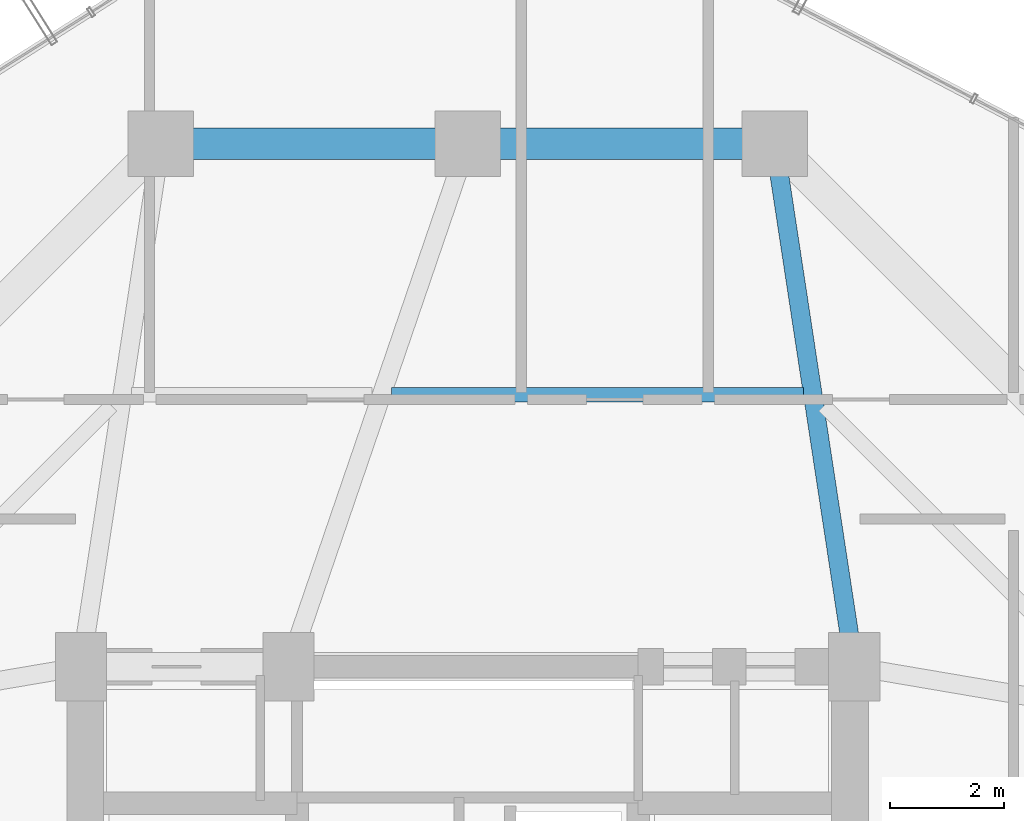
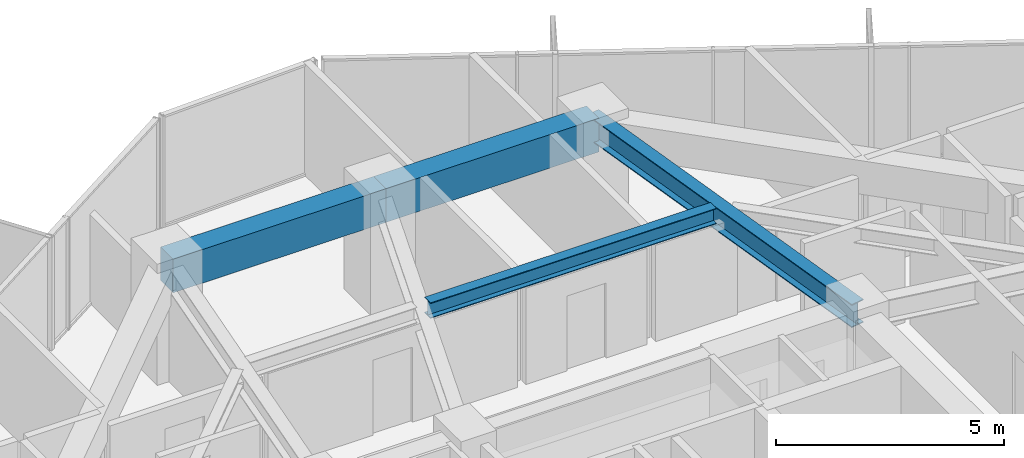
# One storey, part 21 of 32: 4 beams.
"""IFC4 building model written with IfcOpenShell, lengths in metres."""

import ifcopenshell
import ifcopenshell.guid

model = None  # the IFC model being written
_history = None  # IfcOwnerHistory: only IFC2X3 demands one
_inside = {}  # id of a spatial element -> (the spatial element, [elements in it])
_under = {}  # id of a project, library or spatial element -> (it, [spatial elements below it])
_declared = {}  # id of a project -> (the project, [libraries it declares])
_typed = {}  # id of a type object -> (the type object, [elements of that type])
_made_of = {}  # id of a material, layer set ... -> (it, [elements and type objects made of it])


def new_model(schema):
    """Start an empty IFC model of exactly this schema.

    Asked for "IFC4X3", IfcOpenShell would pick the latest addendum, in which some entities
    have other attributes; the version numbers below select the first issue.
    IFC2X3 requires an IfcOwnerHistory on every rooted entity: one is made here for all.
    """
    global model, _history
    if schema == "IFC4X3":
        model = ifcopenshell.file(schema_version=(4, 3, 0, 0))
    else:
        model = ifcopenshell.file(schema=schema)
    _inside.clear()
    _under.clear()
    _declared.clear()
    _typed.clear()
    _made_of.clear()
    _history = None
    if model.schema == "IFC2X3":
        org = make("IfcOrganization", Name="unknown")
        user = make(
            "IfcPersonAndOrganization",
            ThePerson=make("IfcPerson", FamilyName="unknown"),
            TheOrganization=org,
        )
        app = make(
            "IfcApplication",
            ApplicationDeveloper=org,
            Version="unknown",
            ApplicationFullName="unknown",
            ApplicationIdentifier="unknown",
        )
        _history = make(
            "IfcOwnerHistory",
            OwningUser=user,
            OwningApplication=app,
            ChangeAction="ADDED",
            CreationDate=0,
        )
    return model


def make(cls, **values):
    """One entity of the class cls with the attributes given. An attribute that is None is left unset."""
    return model.create_entity(
        cls, **{name: value for name, value in values.items() if value is not None}
    )


def rooted(cls, **values):
    """An entity with a GlobalId (a new one), such as an element, a storey or a relation."""
    return make(cls, GlobalId=ifcopenshell.guid.new(), OwnerHistory=_history, **values)


def si_unit(unit_type, name, prefix=None):
    """IfcSIUnit, for example si_unit("LENGTHUNIT", "METRE", prefix="MILLI")."""
    return make("IfcSIUnit", UnitType=unit_type, Prefix=prefix, Name=name)


def assignment(units):
    """IfcUnitAssignment: the units of a project."""
    return None if units is None else make("IfcUnitAssignment", Units=units)


def point(xyz):
    """IfcCartesianPoint."""
    return None if xyz is None else make("IfcCartesianPoint", Coordinates=xyz)


def direction(xyz):
    """IfcDirection."""
    return None if xyz is None else make("IfcDirection", DirectionRatios=xyz)


def frame(location, z_axis=None, x_axis=None):
    """IfcAxis2Placement3D, a coordinate frame: its origin and axes. An axis left out is left unset."""
    return make(
        "IfcAxis2Placement3D",
        Location=point(location),
        Axis=direction(z_axis),
        RefDirection=direction(x_axis),
    )


def frame_2d(location, x_axis=None):
    """IfcAxis2Placement2D, a coordinate frame in the plane: its origin and x axis."""
    return make(
        "IfcAxis2Placement2D", Location=point(location), RefDirection=direction(x_axis)
    )


def origin():
    """The frame at (0, 0, 0) with its axes left unset."""
    return frame((0.0, 0.0, 0.0))


def origin_2d():
    """The frame at (0, 0) in the plane with its x axis left unset."""
    return frame_2d((0.0, 0.0))


def place(relative_to, where):
    """IfcLocalPlacement: puts the frame where relative to a parent placement (None: the world)."""
    return make(
        "IfcLocalPlacement", PlacementRelTo=relative_to, RelativePlacement=where
    )


def context(
    kind, dimensions, precision=None, world=None, true_north=None, identifier=None
):
    """IfcGeometricRepresentationContext, for example the 3D "Model" context."""
    return make(
        "IfcGeometricRepresentationContext",
        ContextIdentifier=identifier,
        ContextType=kind,
        CoordinateSpaceDimension=dimensions,
        Precision=precision,
        WorldCoordinateSystem=world,
        TrueNorth=true_north,
    )


def subcontext(parent, identifier, kind, view, scale=None):
    """IfcGeometricRepresentationSubContext, for example "Body" below "Model"."""
    return make(
        "IfcGeometricRepresentationSubContext",
        ContextIdentifier=identifier,
        ContextType=kind,
        ParentContext=parent,
        TargetScale=scale,
        TargetView=view,
    )


def project(units=None, contexts=None):
    """IfcProject with its units and contexts."""
    return rooted(
        "IfcProject",
        Name="project",
        RepresentationContexts=contexts,
        UnitsInContext=assignment(units),
    )


def spatial(cls, under=None, at=None, **own):
    """A site, building, storey or space (cls), placed at a placement, below another one or the project."""
    s = rooted(cls, ObjectPlacement=at, **own)
    if under is not None:
        _under.setdefault(under.id(), (under, []))[1].append(s)
    return s


def profile(cls, at=None, kind="AREA", **sizes):
    """A parametric profile (cls). Its sizes go by their IFC names, for example OverallWidth=200.0."""
    return make(cls, ProfileType=kind, Position=at, **sizes)


def rectangle(**sizes):
    """IfcRectangleProfileDef."""
    return profile("IfcRectangleProfileDef", **sizes)


def i_section(**sizes):
    """IfcIShapeProfileDef."""
    return profile("IfcIShapeProfileDef", **sizes)


def extrude(swept, where, along, depth):
    """IfcExtrudedAreaSolid: the profile swept, set in the frame where, extruded along a direction by depth."""
    return make(
        "IfcExtrudedAreaSolid",
        SweptArea=swept,
        Position=where,
        ExtrudedDirection=direction(along),
        Depth=depth,
    )


def shape(context_of_items, identifier, shape_type, items):
    """IfcShapeRepresentation: the items that make up one representation, for example the "Body"."""
    return make(
        "IfcShapeRepresentation",
        ContextOfItems=context_of_items,
        RepresentationIdentifier=identifier,
        RepresentationType=shape_type,
        Items=items,
    )


def material(Name=None, Category=None):
    """IfcMaterial."""
    return make("IfcMaterial", Name=Name, Category=Category)


def material_profile(
    of_material, cross_section, Name=None, Category=None, Priority=None
):
    """IfcMaterialProfile: a cross section and its material."""
    return make(
        "IfcMaterialProfile",
        Name=Name,
        Material=of_material,
        Profile=cross_section,
        Priority=Priority,
        Category=Category,
    )


def profile_set(profiles, Name=None, composite=None):
    """IfcMaterialProfileSet."""
    return make(
        "IfcMaterialProfileSet",
        Name=Name,
        MaterialProfiles=profiles,
        CompositeProfile=composite,
    )


def made_of(thing, what):
    """Note that an element or type object is made of a material, layer set ...; save() writes the relation."""
    if what is not None:
        _made_of.setdefault(what.id(), (what, []))[1].append(thing)
    return thing


def type_object(cls, material=None, **own):
    """A type object (cls), such as IfcWallType, which elements share."""
    return made_of(rooted(cls, **own), material)


def element(
    cls,
    number,
    at=None,
    inside=None,
    cuts=None,
    type_object=None,
    material=None,
    context=None,
    identifier="Body",
    shape_type=None,
    held_by="IfcProductDefinitionShape",
    body=None,
    shapes=None,
    **own,
):
    """One element of the class cls, such as IfcWall. Its Tag is "e" and its number.

    at: its placement. inside: the storey or other place that contains it. cuts: it is an
    opening in that element (IfcRelVoidsElement). A single representation is given by context,
    identifier, shape_type and body (its items); several are given by shapes. held_by: the class
    of the entity that holds the representations. save() writes the other relations.
    """
    e = rooted(cls, Tag="e%d" % number, ObjectPlacement=at, **own)
    if body is not None:
        shapes = [shape(context, identifier, shape_type, body)]
    if shapes is not None:
        e.Representation = make(held_by, Representations=shapes)
    if inside is not None:
        _inside.setdefault(inside.id(), (inside, []))[1].append(e)
    if cuts is not None:
        rooted(
            "IfcRelVoidsElement", RelatingBuildingElement=cuts, RelatedOpeningElement=e
        )
    if type_object is not None:
        _typed.setdefault(type_object.id(), (type_object, []))[1].append(e)
    return made_of(e, material)


def aggregate(whole, parts):
    """IfcRelAggregates: a whole, such as a stair, and the parts it consists of."""
    return rooted("IfcRelAggregates", RelatingObject=whole, RelatedObjects=parts)


def save(model, path):
    """Write the relations noted so far, then the file.

    IfcRelAggregates (storeys below a building ...), IfcRelContainedInSpatialStructure (elements
    in a storey), IfcRelDefinesByType, IfcRelAssociatesMaterial and IfcRelDeclares: one each for
    every whole, place, type object, material and project.
    """
    for whole, parts in _under.values():
        aggregate(whole, parts)
    for where, things in _inside.values():
        rooted(
            "IfcRelContainedInSpatialStructure",
            RelatedElements=things,
            RelatingStructure=where,
        )
    for kind, things in _typed.values():
        rooted("IfcRelDefinesByType", RelatedObjects=things, RelatingType=kind)
    for what, things in _made_of.values():
        rooted("IfcRelAssociatesMaterial", RelatedObjects=things, RelatingMaterial=what)
    for by, libraries in _declared.values():
        rooted("IfcRelDeclares", RelatingContext=by, RelatedDefinitions=libraries)
    model.write(path)


model = new_model("IFC4")

# Units and contexts
model_context = context("Model", 3, precision=1e-05, world=origin(), true_north=direction((0.0, 1.0)))
body_context = subcontext(model_context, "Body", "Model", "MODEL_VIEW")
ifc_project = project(units=[si_unit("LENGTHUNIT", "METRE"), si_unit("AREAUNIT", "SQUARE_METRE"), si_unit("VOLUMEUNIT", "CUBIC_METRE"), si_unit("PLANEANGLEUNIT", "RADIAN"), si_unit("MASSUNIT", "GRAM", prefix="KILO")], contexts=[model_context])

# Site, building, storey
site_placement = place(None, origin())
site = spatial("IfcSite", under=ifc_project, at=site_placement, CompositionType="ELEMENT")
building_placement = place(site_placement, origin())
building = spatial("IfcBuilding", under=site, at=building_placement, Name="Veraguas Prism Commons", CompositionType="ELEMENT")
storey_placement = place(building_placement, frame((0.0, 0.0, 136.0)))
storey = spatial("IfcBuildingStorey", under=building, at=storey_placement, Name="L38", CompositionType="ELEMENT", Elevation=136.0)

# Beams
ifc_material_1 = material(Name="Steel ASTM A992 Grade 50", Category="steel")
ifc_material_profile_1 = material_profile(ifc_material_1, i_section(OverallWidth=0.260986328125, OverallDepth=0.419921875, WebThickness=0.01171875, FlangeThickness=0.019287109375, at=origin_2d()), Name="W410X114")
ifc_profile_set_1 = profile_set([ifc_material_profile_1], Name="Steel ASTM A992 Grade 50")
beam_type_1 = type_object("IfcBeamType", Name="Lower Floor Joist W410x114", PredefinedType="JOIST", material=ifc_profile_set_1)
beam_1_placement = place(storey_placement, frame((29.908203125, 35.783935546875, 2.7900390625), z_axis=(-1.0, 0.0, 0.0), x_axis=(0.0, -1.0, 0.0)))
element("IfcBeam", 1, at=beam_1_placement, inside=storey, type_object=beam_type_1, Name="Composite Floor Joist L38-JS04", PredefinedType="JOIST", context=body_context, shape_type="SweptSolid", body=[
    extrude(i_section(OverallWidth=0.260986328125, OverallDepth=0.419921875, WebThickness=0.01171875, FlangeThickness=0.019287109375, at=origin_2d()), origin(), (0.0, 0.0, 1.0), 7.2490234375),
])
ifc_material_2 = material(Name="Concrete C50/60", Category="concrete")
ifc_material_profile_2 = material_profile(ifc_material_2, rectangle(XDim=0.550048828125, YDim=0.89990234375, at=origin_2d()), Name="RC550X900")
ifc_profile_set_2 = profile_set([ifc_material_profile_2], Name="Concrete C50/60")
beam_type_2 = type_object("IfcBeamType", Name="Perimeter Spandrel Lower RC 550x900", PredefinedType="SPANDREL", material=ifc_profile_set_2)
for number, where, z_axis, x_axis, name in (
    (2, (29.39990234375, 40.199951171875, 2.550048828125), (-1.0, 0.0, 0.0), (0.0, -1.0, 0.0), "Perimeter Spandrel Beam L38-SP04"),
    (3, (24.0, 40.199951171875, 2.550048828125), (-1.0, 0.0, 0.0), (0.0, -1.0, 0.0), "Perimeter Spandrel Beam L38-SP05"),
):
    element("IfcBeam", number, at=place(storey_placement, frame(where, z_axis=z_axis, x_axis=x_axis)), inside=storey, type_object=beam_type_2, Name=name, PredefinedType="SPANDREL", context=body_context, shape_type="SweptSolid", body=[
        extrude(rectangle(XDim=0.550048828125, YDim=0.89990234375, at=origin_2d()), origin(), (0.0, 0.0, 1.0), 5.39990234375),
    ])
ifc_material_profile_3 = material_profile(ifc_material_1, i_section(OverallWidth=0.327880859375, OverallDepth=0.6220703125, WebThickness=0.015380859375, FlangeThickness=0.0244140625, at=origin_2d()), Name="W610X195")
ifc_profile_set_3 = profile_set([ifc_material_profile_3], Name="Steel ASTM A992 Grade 50")
beam_type_3 = type_object("IfcBeamType", Name="Zone 2 Radial Girder W610x195", PredefinedType="BEAM", material=ifc_profile_set_3)
beam_2_placement = place(storey_placement, frame((29.39990234375, 40.199951171875, 2.68896484375), z_axis=(0.150458162136, -0.98861637729, 0.0), x_axis=(0.98861637729, 0.150458162136, 0.0)))
element("IfcBeam", 4, at=beam_2_placement, inside=storey, type_object=beam_type_3, Name="Radial Floor Girder L38-RD04", PredefinedType="BEAM", context=body_context, shape_type="SweptSolid", body=[
    extrude(i_section(OverallWidth=0.327880859375, OverallDepth=0.6220703125, WebThickness=0.015380859375, FlangeThickness=0.0244140625, at=origin_2d()), origin(), (0.0, 0.0, 1.0), 9.305908203125),
])

save(model, "model.ifc")
